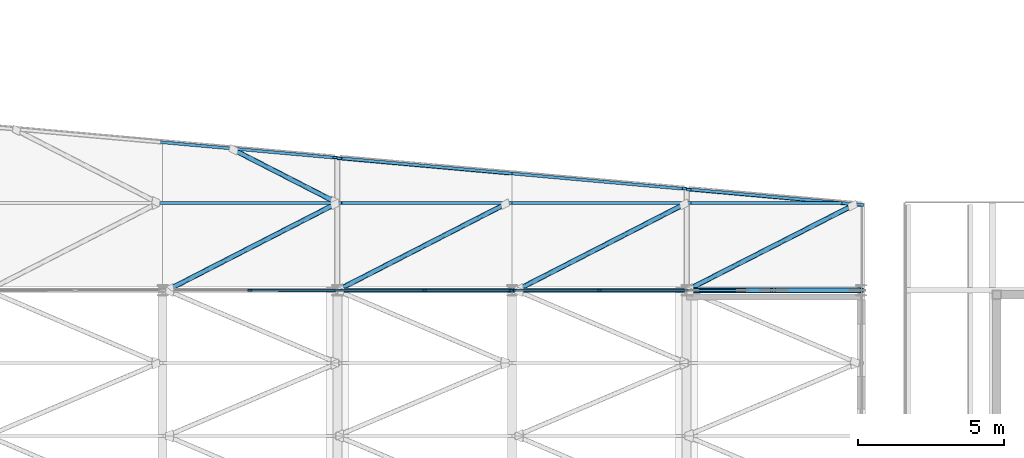
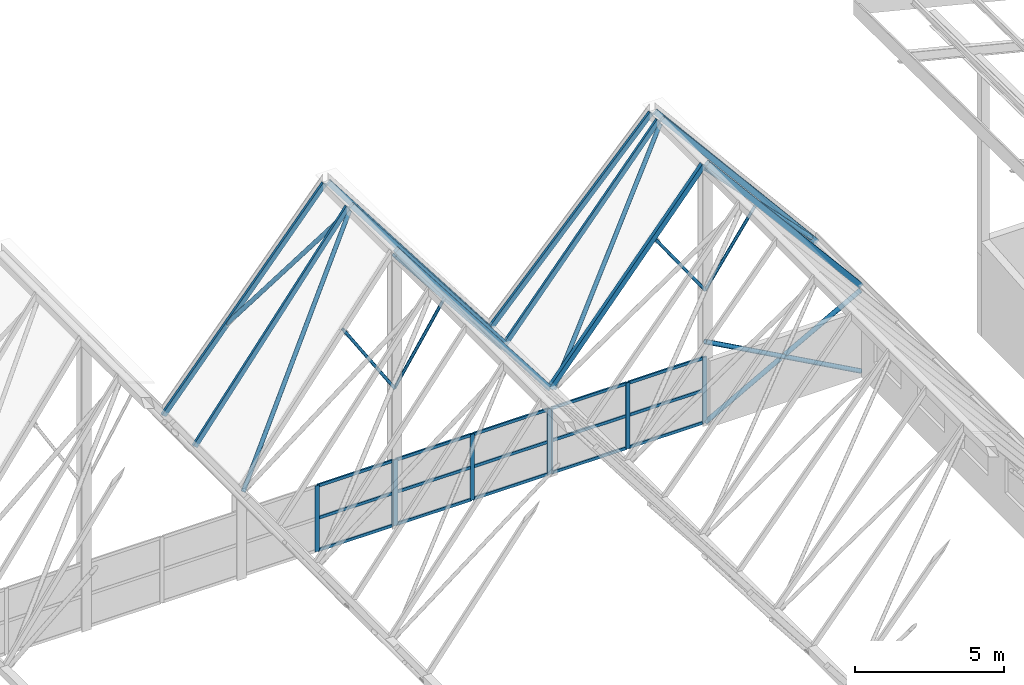
# One storey, part 37 of 483: 39 members, 7 beams, 3 elements without a shape of their own.
"""IFC4 building model written with IfcOpenShell, lengths in metres."""

import ifcopenshell
import ifcopenshell.guid

model = None  # the IFC model being written
_history = None  # IfcOwnerHistory: only IFC2X3 demands one
_inside = {}  # id of a spatial element -> (the spatial element, [elements in it])
_under = {}  # id of a project, library or spatial element -> (it, [spatial elements below it])
_declared = {}  # id of a project -> (the project, [libraries it declares])
_typed = {}  # id of a type object -> (the type object, [elements of that type])
_made_of = {}  # id of a material, layer set ... -> (it, [elements and type objects made of it])


def new_model(schema):
    """Start an empty IFC model of exactly this schema.

    Asked for "IFC4X3", IfcOpenShell would pick the latest addendum, in which some entities
    have other attributes; the version numbers below select the first issue.
    IFC2X3 requires an IfcOwnerHistory on every rooted entity: one is made here for all.
    """
    global model, _history
    if schema == "IFC4X3":
        model = ifcopenshell.file(schema_version=(4, 3, 0, 0))
    else:
        model = ifcopenshell.file(schema=schema)
    _inside.clear()
    _under.clear()
    _declared.clear()
    _typed.clear()
    _made_of.clear()
    _history = None
    if model.schema == "IFC2X3":
        org = make("IfcOrganization", Name="unknown")
        user = make(
            "IfcPersonAndOrganization",
            ThePerson=make("IfcPerson", FamilyName="unknown"),
            TheOrganization=org,
        )
        app = make(
            "IfcApplication",
            ApplicationDeveloper=org,
            Version="unknown",
            ApplicationFullName="unknown",
            ApplicationIdentifier="unknown",
        )
        _history = make(
            "IfcOwnerHistory",
            OwningUser=user,
            OwningApplication=app,
            ChangeAction="ADDED",
            CreationDate=0,
        )
    return model


def make(cls, **values):
    """One entity of the class cls with the attributes given. An attribute that is None is left unset."""
    return model.create_entity(
        cls, **{name: value for name, value in values.items() if value is not None}
    )


def rooted(cls, **values):
    """An entity with a GlobalId (a new one), such as an element, a storey or a relation."""
    return make(cls, GlobalId=ifcopenshell.guid.new(), OwnerHistory=_history, **values)


def si_unit(unit_type, name, prefix=None):
    """IfcSIUnit, for example si_unit("LENGTHUNIT", "METRE", prefix="MILLI")."""
    return make("IfcSIUnit", UnitType=unit_type, Prefix=prefix, Name=name)


def assignment(units):
    """IfcUnitAssignment: the units of a project."""
    return None if units is None else make("IfcUnitAssignment", Units=units)


def point(xyz):
    """IfcCartesianPoint."""
    return None if xyz is None else make("IfcCartesianPoint", Coordinates=xyz)


def direction(xyz):
    """IfcDirection."""
    return None if xyz is None else make("IfcDirection", DirectionRatios=xyz)


def frame(location, z_axis=None, x_axis=None):
    """IfcAxis2Placement3D, a coordinate frame: its origin and axes. An axis left out is left unset."""
    return make(
        "IfcAxis2Placement3D",
        Location=point(location),
        Axis=direction(z_axis),
        RefDirection=direction(x_axis),
    )


def frame_2d(location, x_axis=None):
    """IfcAxis2Placement2D, a coordinate frame in the plane: its origin and x axis."""
    return make(
        "IfcAxis2Placement2D", Location=point(location), RefDirection=direction(x_axis)
    )


def origin():
    """The frame at (0, 0, 0) with its axes left unset."""
    return frame((0.0, 0.0, 0.0))


def origin_2d():
    """The frame at (0, 0) in the plane with its x axis left unset."""
    return frame_2d((0.0, 0.0))


def place(relative_to, where):
    """IfcLocalPlacement: puts the frame where relative to a parent placement (None: the world)."""
    return make(
        "IfcLocalPlacement", PlacementRelTo=relative_to, RelativePlacement=where
    )


def context(
    kind, dimensions, precision=None, world=None, true_north=None, identifier=None
):
    """IfcGeometricRepresentationContext, for example the 3D "Model" context."""
    return make(
        "IfcGeometricRepresentationContext",
        ContextIdentifier=identifier,
        ContextType=kind,
        CoordinateSpaceDimension=dimensions,
        Precision=precision,
        WorldCoordinateSystem=world,
        TrueNorth=true_north,
    )


def subcontext(parent, identifier, kind, view, scale=None):
    """IfcGeometricRepresentationSubContext, for example "Body" below "Model"."""
    return make(
        "IfcGeometricRepresentationSubContext",
        ContextIdentifier=identifier,
        ContextType=kind,
        ParentContext=parent,
        TargetScale=scale,
        TargetView=view,
    )


def project(units=None, contexts=None):
    """IfcProject with its units and contexts."""
    return rooted(
        "IfcProject",
        Name="project",
        RepresentationContexts=contexts,
        UnitsInContext=assignment(units),
    )


def spatial(cls, under=None, at=None, **own):
    """A site, building, storey or space (cls), placed at a placement, below another one or the project."""
    s = rooted(cls, ObjectPlacement=at, **own)
    if under is not None:
        _under.setdefault(under.id(), (under, []))[1].append(s)
    return s


def profile(cls, at=None, kind="AREA", **sizes):
    """A parametric profile (cls). Its sizes go by their IFC names, for example OverallWidth=200.0."""
    return make(cls, ProfileType=kind, Position=at, **sizes)


def rectangle(**sizes):
    """IfcRectangleProfileDef."""
    return profile("IfcRectangleProfileDef", **sizes)


def hollow_rectangle(**sizes):
    """IfcRectangleHollowProfileDef."""
    return profile("IfcRectangleHollowProfileDef", **sizes)


def hollow_circle(**sizes):
    """IfcCircleHollowProfileDef."""
    return profile("IfcCircleHollowProfileDef", **sizes)


def extrude(swept, where, along, depth):
    """IfcExtrudedAreaSolid: the profile swept, set in the frame where, extruded along a direction by depth."""
    return make(
        "IfcExtrudedAreaSolid",
        SweptArea=swept,
        Position=where,
        ExtrudedDirection=direction(along),
        Depth=depth,
    )


def shape(context_of_items, identifier, shape_type, items):
    """IfcShapeRepresentation: the items that make up one representation, for example the "Body"."""
    return make(
        "IfcShapeRepresentation",
        ContextOfItems=context_of_items,
        RepresentationIdentifier=identifier,
        RepresentationType=shape_type,
        Items=items,
    )


def material(Name=None, Category=None):
    """IfcMaterial."""
    return make("IfcMaterial", Name=Name, Category=Category)


def material_profile(
    of_material, cross_section, Name=None, Category=None, Priority=None
):
    """IfcMaterialProfile: a cross section and its material."""
    return make(
        "IfcMaterialProfile",
        Name=Name,
        Material=of_material,
        Profile=cross_section,
        Priority=Priority,
        Category=Category,
    )


def profile_set(profiles, Name=None, composite=None):
    """IfcMaterialProfileSet."""
    return make(
        "IfcMaterialProfileSet",
        Name=Name,
        MaterialProfiles=profiles,
        CompositeProfile=composite,
    )


def made_of(thing, what):
    """Note that an element or type object is made of a material, layer set ...; save() writes the relation."""
    if what is not None:
        _made_of.setdefault(what.id(), (what, []))[1].append(thing)
    return thing


def type_object(cls, material=None, **own):
    """A type object (cls), such as IfcWallType, which elements share."""
    return made_of(rooted(cls, **own), material)


def element(
    cls,
    number,
    at=None,
    inside=None,
    cuts=None,
    type_object=None,
    material=None,
    context=None,
    identifier="Body",
    shape_type=None,
    held_by="IfcProductDefinitionShape",
    body=None,
    shapes=None,
    **own,
):
    """One element of the class cls, such as IfcWall. Its Tag is "e" and its number.

    at: its placement. inside: the storey or other place that contains it. cuts: it is an
    opening in that element (IfcRelVoidsElement). A single representation is given by context,
    identifier, shape_type and body (its items); several are given by shapes. held_by: the class
    of the entity that holds the representations. save() writes the other relations.
    """
    e = rooted(cls, Tag="e%d" % number, ObjectPlacement=at, **own)
    if body is not None:
        shapes = [shape(context, identifier, shape_type, body)]
    if shapes is not None:
        e.Representation = make(held_by, Representations=shapes)
    if inside is not None:
        _inside.setdefault(inside.id(), (inside, []))[1].append(e)
    if cuts is not None:
        rooted(
            "IfcRelVoidsElement", RelatingBuildingElement=cuts, RelatedOpeningElement=e
        )
    if type_object is not None:
        _typed.setdefault(type_object.id(), (type_object, []))[1].append(e)
    return made_of(e, material)


def aggregate(whole, parts):
    """IfcRelAggregates: a whole, such as a stair, and the parts it consists of."""
    return rooted("IfcRelAggregates", RelatingObject=whole, RelatedObjects=parts)


def save(model, path):
    """Write the relations noted so far, then the file.

    IfcRelAggregates (storeys below a building ...), IfcRelContainedInSpatialStructure (elements
    in a storey), IfcRelDefinesByType, IfcRelAssociatesMaterial and IfcRelDeclares: one each for
    every whole, place, type object, material and project.
    """
    for whole, parts in _under.values():
        aggregate(whole, parts)
    for where, things in _inside.values():
        rooted(
            "IfcRelContainedInSpatialStructure",
            RelatedElements=things,
            RelatingStructure=where,
        )
    for kind, things in _typed.values():
        rooted("IfcRelDefinesByType", RelatedObjects=things, RelatingType=kind)
    for what, things in _made_of.values():
        rooted("IfcRelAssociatesMaterial", RelatedObjects=things, RelatingMaterial=what)
    for by, libraries in _declared.values():
        rooted("IfcRelDeclares", RelatingContext=by, RelatedDefinitions=libraries)
    model.write(path)


model = new_model("IFC4")

# Units and contexts
model_context = context("Model", 3, precision=1e-05, world=origin(), true_north=direction((0.0, 1.0)))
body_context = subcontext(model_context, "Body", "Model", "MODEL_VIEW")
ifc_project = project(units=[si_unit("LENGTHUNIT", "METRE"), si_unit("AREAUNIT", "SQUARE_METRE"), si_unit("VOLUMEUNIT", "CUBIC_METRE"), si_unit("PLANEANGLEUNIT", "RADIAN"), si_unit("MASSUNIT", "GRAM", prefix="KILO")], contexts=[model_context])

# Site, building, storey
site_placement = place(None, origin())
site = spatial("IfcSite", under=ifc_project, at=site_placement, CompositionType="ELEMENT")
building_placement = place(site_placement, origin())
building = spatial("IfcBuilding", under=site, at=building_placement, Name="Parallax Yard Mobility Hub", CompositionType="ELEMENT")
storey_placement = place(building_placement, frame((0.0, 0.0, 13.199951171875)))
storey = spatial("IfcBuildingStorey", under=building, at=storey_placement, Name="L04", CompositionType="ELEMENT", Elevation=13.199951171875)

# Members
ifc_material_1 = material(Name="Steel ASTM A500 Gr C", Category="steel")
ifc_material_profile_1 = material_profile(ifc_material_1, hollow_circle(Radius=0.05712890625, WallThickness=0.006103515625, at=origin_2d()), Name="HSS114.3x6.0")
ifc_profile_set_1 = profile_set([ifc_material_profile_1], Name="Steel ASTM A500 Gr C")
member_type_1 = type_object("IfcMemberType", Name="Knee brace HSS114.3x6.0", PredefinedType="BRACE", material=ifc_profile_set_1)
for number, where, z_axis, x_axis, name in (
    (1, (75.0, 52.5, 5.60009765625), (-0.54067085938, 0.0, 0.841234225301), (0.0, -1.0, 0.0), "Gable knee brace F12 north west"),
    (2, (75.0, 52.5, 5.60009765625), (0.54067085938, 0.0, 0.841234225301), (0.0, 1.0, 0.0), "Gable knee brace F12 north east"),
):
    element("IfcMember", number, at=place(storey_placement, frame(where, z_axis=z_axis, x_axis=x_axis)), inside=storey, type_object=member_type_1, Name=name, PredefinedType="BRACE", context=body_context, shape_type="SweptSolid", body=[
        extrude(hollow_circle(Radius=0.05712890625, WallThickness=0.006103515625, at=origin_2d()), origin(), (0.0, 0.0, 1.0), 3.69921875),
    ])
for number, where, z_axis, x_axis, name in (
    (3, (87.0, 52.5, 5.400146484375), (-0.572308351996, 0.0, 0.820038505337), (0.0, -1.0, 0.0), "Gable knee brace F14 north west"),
    (4, (87.0, 52.5, 5.400146484375), (0.572308351996, 0.0, 0.820038505337), (0.0, 1.0, 0.0), "Gable knee brace F14 north east"),
):
    element("IfcMember", number, at=place(storey_placement, frame(where, z_axis=z_axis, x_axis=x_axis)), inside=storey, type_object=member_type_1, Name=name, PredefinedType="BRACE", context=body_context, shape_type="SweptSolid", body=[
        extrude(hollow_circle(Radius=0.05712890625, WallThickness=0.006103515625, at=origin_2d()), origin(), (0.0, 0.0, 1.0), 3.49462890625),
    ])

# Curtain wall, members
ifc_material_2 = material(Name="Thermally broken aluminium curtain wall system", Category="aluminium")
curtain_wall_type = type_object("IfcCurtainWallType", Name="Curtain wall run 60 x 160 frame", PredefinedType="NOTDEFINED", material=ifc_material_2)
curtain_wall_1_placement = place(storey_placement, origin())
curtain_wall_1 = element("IfcCurtainWall", 5, at=curtain_wall_1_placement, inside=storey, type_object=curtain_wall_type, Name="Glazed gable end Bus and taxi deck north gable bay 11 level L04", PredefinedType="NOTDEFINED")
ifc_material_3 = material(Name="Extruded aluminium", Category="aluminium")
ifc_material_profile_2 = material_profile(ifc_material_3, rectangle(XDim=0.06005859375, YDim=0.159912109375, at=origin_2d()), Name="Mullion 60 x 160")
ifc_profile_set_2 = profile_set([ifc_material_profile_2], Name="Extruded aluminium")
member_type_2 = type_object("IfcMemberType", Name="Mullion 60 x 160", PredefinedType="MULLION", material=ifc_profile_set_2)
member_1_placement = place(storey_placement, frame((72.0, 52.5, 0.0), z_axis=(0.0, 0.0, 1.0), x_axis=(0.0, 1.0, 0.0)))
member_1 = element("IfcMember", 6, at=member_1_placement, type_object=member_type_2, Name="CW1 mullion 2", PredefinedType="MULLION", context=body_context, shape_type="SweptSolid", body=[
    extrude(rectangle(XDim=0.06005859375, YDim=0.159912109375, at=origin_2d()), origin(), (0.0, 0.0, 1.0), 2.68994140625),
])
member_2_placement = place(storey_placement, frame((74.969970703125, 52.5, 0.0), z_axis=(0.0, 0.0, 1.0), x_axis=(0.0, 1.0, 0.0)))
member_2 = element("IfcMember", 7, at=member_2_placement, type_object=member_type_2, Name="CW1 mullion 3", PredefinedType="MULLION", context=body_context, shape_type="SweptSolid", body=[
    extrude(rectangle(XDim=0.06005859375, YDim=0.159912109375, at=origin_2d()), origin(), (0.0, 0.0, 1.0), 2.68994140625),
])

curtain_wall_2_placement = place(storey_placement, origin())
curtain_wall_2 = element("IfcCurtainWall", 8, at=curtain_wall_2_placement, inside=storey, type_object=curtain_wall_type, Name="Glazed gable end Bus and taxi deck north gable bay 12 level L04", PredefinedType="NOTDEFINED")
member_3_placement = place(storey_placement, frame((75.030029296875, 52.5, 0.0), z_axis=(0.0, 0.0, 1.0), x_axis=(0.0, 1.0, 0.0)))
member_3 = element("IfcMember", 9, at=member_3_placement, type_object=member_type_2, Name="CW1 mullion 1", PredefinedType="MULLION", context=body_context, shape_type="SweptSolid", body=[
    extrude(rectangle(XDim=0.06005859375, YDim=0.159912109375, at=origin_2d()), origin(), (0.0, 0.0, 1.0), 2.68994140625),
])
member_4_placement = place(storey_placement, frame((78.0, 52.5, 0.0), z_axis=(0.0, 0.0, 1.0), x_axis=(0.0, 1.0, 0.0)))
member_4 = element("IfcMember", 10, at=member_4_placement, type_object=member_type_2, Name="CW1 mullion 2", PredefinedType="MULLION", context=body_context, shape_type="SweptSolid", body=[
    extrude(rectangle(XDim=0.06005859375, YDim=0.159912109375, at=origin_2d()), origin(), (0.0, 0.0, 1.0), 2.68994140625),
])
member_5_placement = place(storey_placement, frame((80.969970703125, 52.5, 0.0), z_axis=(0.0, 0.0, 1.0), x_axis=(0.0, 1.0, 0.0)))
member_5 = element("IfcMember", 11, at=member_5_placement, type_object=member_type_2, Name="CW1 mullion 3", PredefinedType="MULLION", context=body_context, shape_type="SweptSolid", body=[
    extrude(rectangle(XDim=0.06005859375, YDim=0.159912109375, at=origin_2d()), origin(), (0.0, 0.0, 1.0), 2.68994140625),
])

curtain_wall_3_placement = place(storey_placement, origin())
curtain_wall_3 = element("IfcCurtainWall", 12, at=curtain_wall_3_placement, inside=storey, type_object=curtain_wall_type, Name="Glazed gable end Bus and taxi deck north gable bay 13 level L04", PredefinedType="NOTDEFINED")
member_6_placement = place(storey_placement, frame((81.030029296875, 52.5, 0.0), z_axis=(0.0, 0.0, 1.0), x_axis=(0.0, 1.0, 0.0)))
member_6 = element("IfcMember", 13, at=member_6_placement, type_object=member_type_2, Name="CW1 mullion 1", PredefinedType="MULLION", context=body_context, shape_type="SweptSolid", body=[
    extrude(rectangle(XDim=0.06005859375, YDim=0.159912109375, at=origin_2d()), origin(), (0.0, 0.0, 1.0), 2.68994140625),
])
member_7_placement = place(storey_placement, frame((84.0, 52.5, 0.0), z_axis=(0.0, 0.0, 1.0), x_axis=(0.0, 1.0, 0.0)))
member_7 = element("IfcMember", 14, at=member_7_placement, type_object=member_type_2, Name="CW1 mullion 2", PredefinedType="MULLION", context=body_context, shape_type="SweptSolid", body=[
    extrude(rectangle(XDim=0.06005859375, YDim=0.159912109375, at=origin_2d()), origin(), (0.0, 0.0, 1.0), 2.68994140625),
])
member_8_placement = place(storey_placement, frame((86.969970703125, 52.5, 0.0), z_axis=(0.0, 0.0, 1.0), x_axis=(0.0, 1.0, 0.0)))
member_8 = element("IfcMember", 15, at=member_8_placement, type_object=member_type_2, Name="CW1 mullion 3", PredefinedType="MULLION", context=body_context, shape_type="SweptSolid", body=[
    extrude(rectangle(XDim=0.06005859375, YDim=0.159912109375, at=origin_2d()), origin(), (0.0, 0.0, 1.0), 2.68994140625),
])

# Members
ifc_material_profile_3 = material_profile(ifc_material_1, hollow_circle(Radius=0.084228515625, WallThickness=0.007080078125, at=origin_2d()), Name="HSS168.3x7.1")
ifc_profile_set_3 = profile_set([ifc_material_profile_3], Name="Steel ASTM A500 Gr C")
member_type_3 = type_object("IfcMemberType", Name="Plate diagonal HSS168.3x7.1", PredefinedType="BRACE", material=ifc_profile_set_3)
for number, where, z_axis, x_axis, name in (
    (16, (69.15234375, 52.5, 3.409423828125), (0.580664226216, 0.297895875574, 0.757685359308), (-0.456461439155, 0.889743195852, 0.0), "Plate diagonal plate F11-F12 bay 19"),
    (17, (75.0, 52.5, 11.039794921875), (0.580664226216, 0.297895875574, -0.757685359308), (-0.456461439155, 0.889743195852, 0.0), "Plate diagonal plate F12-F13 bay 19"),
):
    element("IfcMember", number, at=place(storey_placement, frame(where, z_axis=z_axis, x_axis=x_axis)), inside=storey, type_object=member_type_3, Name=name, PredefinedType="BRACE", context=body_context, shape_type="SweptSolid", body=[
        extrude(hollow_circle(Radius=0.084228515625, WallThickness=0.007080078125, at=origin_2d()), origin(), (0.0, 0.0, 1.0), 10.070556640625),
    ])
member_9_placement = place(storey_placement, frame((81.15234375, 52.5, 3.407470703125), z_axis=(0.610031913573, 0.312962264278, 0.727953079231), x_axis=(-0.456461439155, 0.889743195852, 0.0)))
element("IfcMember", 18, at=member_9_placement, inside=storey, type_object=member_type_3, Name="Plate diagonal plate F13-F14 bay 19", PredefinedType="BRACE", context=body_context, shape_type="SweptSolid", body=[
    extrude(hollow_circle(Radius=0.084228515625, WallThickness=0.007080078125, at=origin_2d()), origin(), (0.0, 0.0, 1.0), 9.5859375),
])
member_10_placement = place(storey_placement, frame((87.0, 52.5, 10.385498046875), z_axis=(0.622928430701, 0.3181860868, -0.714645215748), x_axis=(-0.454884847371, 0.89055026564, 0.0)))
element("IfcMember", 19, at=member_10_placement, inside=storey, type_object=member_type_3, Name="Plate diagonal plate F14-F15 bay 19", PredefinedType="BRACE", context=body_context, shape_type="SweptSolid", body=[
    extrude(hollow_circle(Radius=0.084228515625, WallThickness=0.007080078125, at=origin_2d()), origin(), (0.0, 0.0, 1.0), 9.298095703125),
])
member_11_placement = place(storey_placement, frame((75.0, 55.5, 11.039794921875), z_axis=(-0.600800505101, 0.308214073898, -0.737592596032), x_axis=(-0.456447092322, -0.889750556005, 0.0)))
element("IfcMember", 20, at=member_11_placement, inside=storey, type_object=member_type_3, Name="Plate diagonal plate F11-F12 bay 20", PredefinedType="BRACE", context=body_context, shape_type="SweptSolid", body=[
    extrude(hollow_circle(Radius=0.084228515625, WallThickness=0.007080078125, at=origin_2d()), origin(), (0.0, 0.0, 1.0), 6.0771484375),
])

# Beams
ifc_material_profile_4 = material_profile(ifc_material_1, hollow_rectangle(XDim=0.1015625, YDim=0.203125, WallThickness=0.00634765625, at=origin_2d()), Name="HSS203x102x6.4")
ifc_profile_set_4 = profile_set([ifc_material_profile_4], Name="Steel ASTM A500 Gr C")
beam_type_1 = type_object("IfcBeamType", Name="Roof edge beam HSS203x102x6.4", PredefinedType="SPANDREL", material=ifc_profile_set_4)
for number, where, z_axis, x_axis, name in (
    (21, (69.010498046875, 57.589111328125, 3.50634765625), (0.607392180585, -0.054226522496, 0.792549192935), (0.032980120967, 0.998528659687, 0.043044481707), "Edge beam plate F11-F12 north prow edge"),
    (22, (75.07177734375, 57.033447265625, 11.22802734375), (0.607392180585, -0.054226522496, -0.792549192935), (0.032980120967, 0.998528659687, -0.043044481707), "Edge beam plate F12-F13 north prow edge"),
):
    element("IfcBeam", number, at=place(storey_placement, frame(where, z_axis=z_axis, x_axis=x_axis)), inside=storey, type_object=beam_type_1, Name=name, PredefinedType="SPANDREL", context=body_context, shape_type="SweptSolid", body=[
        extrude(hollow_rectangle(XDim=0.1015625, YDim=0.203125, WallThickness=0.00634765625, at=origin_2d()), origin(), (0.0, 0.0, 1.0), 9.742919921875),
    ])
for number, where, z_axis, x_axis, name in (
    (23, (81.0078125, 56.517578125, 3.501953125), (0.64125016459, -0.057249282403, 0.765193273675), (0.036765639105, 0.998359914864, 0.043883575215), "Edge beam plate F13-F14 north prow edge"),
    (24, (87.074462890625, 55.962158203125, 10.5634765625), (0.641249193164, -0.057275650943, -0.765192114488), (0.036806580096, 0.998358402201, -0.043883669127), "Edge beam plate F14-F15 north prow edge"),
):
    element("IfcBeam", number, at=place(storey_placement, frame(where, z_axis=z_axis, x_axis=x_axis)), inside=storey, type_object=beam_type_1, Name=name, PredefinedType="SPANDREL", context=body_context, shape_type="SweptSolid", body=[
        extrude(hollow_rectangle(XDim=0.1015625, YDim=0.203125, WallThickness=0.00634765625, at=origin_2d()), origin(), (0.0, 0.0, 1.0), 9.228515625),
    ])
ifc_material_profile_5 = material_profile(ifc_material_1, hollow_rectangle(XDim=0.15234375, YDim=0.203125, WallThickness=0.009521484375, at=origin_2d()), Name="HSS203x152x9.5")
ifc_profile_set_5 = profile_set([ifc_material_profile_5], Name="Steel ASTM A500 Gr C")
beam_type_2 = type_object("IfcBeamType", Name="Roof edge beam HSS203x152x9.5", PredefinedType="SPANDREL", material=ifc_profile_set_5)
beam_placement = place(storey_placement, frame((75.07177734375, 52.5, 11.22802734375), z_axis=(0.608287178019, 0.0, -0.793717020768), x_axis=(0.0, 1.0, 0.0)))
element("IfcBeam", 25, at=beam_placement, inside=storey, type_object=beam_type_2, Name="Edge beam plate F12-F13 north gable", PredefinedType="SPANDREL", context=body_context, shape_type="SweptSolid", body=[
    extrude(hollow_rectangle(XDim=0.15234375, YDim=0.203125, WallThickness=0.009521484375, at=origin_2d()), origin(), (0.0, 0.0, 1.0), 9.728515625),
])
for number, where, z_axis, x_axis, name in (
    (26, (81.0078125, 52.5, 3.501953125), (0.642303597154, 0.0, 0.766450317426), (0.0, 1.0, 0.0), "Edge beam plate F13-F14 north gable"),
    (27, (87.074462890625, 52.5, 10.5634765625), (0.642303597154, 0.0, -0.766450317426), (0.0, 1.0, 0.0), "Edge beam plate F14-F15 north gable"),
):
    element("IfcBeam", number, at=place(storey_placement, frame(where, z_axis=z_axis, x_axis=x_axis)), inside=storey, type_object=beam_type_2, Name=name, PredefinedType="SPANDREL", context=body_context, shape_type="SweptSolid", body=[
        extrude(hollow_rectangle(XDim=0.15234375, YDim=0.203125, WallThickness=0.009521484375, at=origin_2d()), origin(), (0.0, 0.0, 1.0), 9.21337890625),
    ])

# Members
ifc_material_profile_6 = material_profile(ifc_material_1, hollow_rectangle(XDim=0.1015625, YDim=0.203125, WallThickness=0.00634765625, at=origin_2d()), Name="HSS203x102x6.4")
ifc_profile_set_6 = profile_set([ifc_material_profile_6], Name="Steel ASTM A500 Gr C")
member_type_4 = type_object("IfcMemberType", Name="Roof rafter HSS203x102x6.4", PredefinedType="RAFTER", material=ifc_profile_set_6)
for number, where, z_axis, x_axis, name in (
    (28, (69.010498046875, 55.5, 3.50634765625), (0.608287178019, 0.0, 0.793717020768), (0.0, 1.0, 0.0), "Roof rafter plate F11-F12 at y 55.5"),
    (29, (75.07177734375, 55.5, 11.22802734375), (0.608287178019, 0.0, -0.793717020768), (0.0, 1.0, 0.0), "Roof rafter plate F12-F13 at y 55.5"),
):
    element("IfcMember", number, at=place(storey_placement, frame(where, z_axis=z_axis, x_axis=x_axis)), inside=storey, type_object=member_type_4, Name=name, PredefinedType="RAFTER", context=body_context, shape_type="SweptSolid", body=[
        extrude(hollow_rectangle(XDim=0.1015625, YDim=0.203125, WallThickness=0.00634765625, at=origin_2d()), origin(), (0.0, 0.0, 1.0), 9.728515625),
    ])
member_12_placement = place(storey_placement, frame((81.0078125, 55.5, 3.501953125), z_axis=(0.642303597154, 0.0, 0.766450317426), x_axis=(0.0, 1.0, 0.0)))
element("IfcMember", 30, at=member_12_placement, inside=storey, type_object=member_type_4, Name="Roof rafter plate F13-F14 at y 55.5", PredefinedType="RAFTER", context=body_context, shape_type="SweptSolid", body=[
    extrude(hollow_rectangle(XDim=0.1015625, YDim=0.203125, WallThickness=0.00634765625, at=origin_2d()), origin(), (0.0, 0.0, 1.0), 9.21337890625),
])
member_13_placement = place(storey_placement, frame((87.074462890625, 55.5, 10.5634765625), z_axis=(0.64228000083, 0.0, -0.766470091089), x_axis=(0.0, 1.0, 0.0)))
element("IfcMember", 31, at=member_13_placement, inside=storey, type_object=member_type_4, Name="Roof rafter plate F14-F15 at y 55.5", PredefinedType="RAFTER", context=body_context, shape_type="SweptSolid", body=[
    extrude(hollow_rectangle(XDim=0.1015625, YDim=0.203125, WallThickness=0.00634765625, at=origin_2d()), origin(), (0.0, 0.0, 1.0), 8.05810546875),
])

# Member
ifc_material_profile_7 = material_profile(ifc_material_3, rectangle(XDim=0.06005859375, YDim=0.1201171875, at=origin_2d()), Name="Transom 60 x 120")
ifc_profile_set_7 = profile_set([ifc_material_profile_7], Name="Extruded aluminium")
member_type_5 = type_object("IfcMemberType", Name="Transom 60 x 120", PredefinedType="USERDEFINED", material=ifc_profile_set_7)
member_14_placement = place(storey_placement, frame((72.030029296875, 52.5, 0.030029296875), z_axis=(1.0, 0.0, 0.0), x_axis=(0.0, 1.0, 0.0)))
member_14 = element("IfcMember", 32, at=member_14_placement, type_object=member_type_5, Name="CW1 transom 2.1", ObjectType="TRANSOM", PredefinedType="USERDEFINED", context=body_context, shape_type="SweptSolid", body=[
    extrude(rectangle(XDim=0.06005859375, YDim=0.1201171875, at=origin_2d()), origin(), (0.0, 0.0, 1.0), 2.909912109375),
])

member_15_placement = place(storey_placement, frame((72.030029296875, 52.5, 1.344970703125), z_axis=(1.0, 0.0, 0.0), x_axis=(0.0, 1.0, 0.0)))
member_15 = element("IfcMember", 33, at=member_15_placement, type_object=member_type_5, Name="CW1 transom 2.2", ObjectType="TRANSOM", PredefinedType="USERDEFINED", context=body_context, shape_type="SweptSolid", body=[
    extrude(rectangle(XDim=0.06005859375, YDim=0.1201171875, at=origin_2d()), origin(), (0.0, 0.0, 1.0), 2.909912109375),
])

member_16_placement = place(storey_placement, frame((72.030029296875, 52.5, 2.66015625), z_axis=(1.0, 0.0, 0.0), x_axis=(0.0, 1.0, 0.0)))
member_16 = element("IfcMember", 34, at=member_16_placement, type_object=member_type_5, Name="CW1 transom 2.3", ObjectType="TRANSOM", PredefinedType="USERDEFINED", context=body_context, shape_type="SweptSolid", body=[
    extrude(rectangle(XDim=0.06005859375, YDim=0.1201171875, at=origin_2d()), origin(), (0.0, 0.0, 1.0), 2.909912109375),
])

aggregate(curtain_wall_1, [member_1, member_2, member_14, member_15, member_16])

member_17_placement = place(storey_placement, frame((75.06005859375, 52.5, 0.030029296875), z_axis=(1.0, 0.0, 0.0), x_axis=(0.0, 1.0, 0.0)))
member_17 = element("IfcMember", 35, at=member_17_placement, type_object=member_type_5, Name="CW1 transom 1.1", ObjectType="TRANSOM", PredefinedType="USERDEFINED", context=body_context, shape_type="SweptSolid", body=[
    extrude(rectangle(XDim=0.06005859375, YDim=0.1201171875, at=origin_2d()), origin(), (0.0, 0.0, 1.0), 2.909912109375),
])

member_18_placement = place(storey_placement, frame((75.06005859375, 52.5, 1.344970703125), z_axis=(1.0, 0.0, 0.0), x_axis=(0.0, 1.0, 0.0)))
member_18 = element("IfcMember", 36, at=member_18_placement, type_object=member_type_5, Name="CW1 transom 1.2", ObjectType="TRANSOM", PredefinedType="USERDEFINED", context=body_context, shape_type="SweptSolid", body=[
    extrude(rectangle(XDim=0.06005859375, YDim=0.1201171875, at=origin_2d()), origin(), (0.0, 0.0, 1.0), 2.909912109375),
])

member_19_placement = place(storey_placement, frame((75.06005859375, 52.5, 2.66015625), z_axis=(1.0, 0.0, 0.0), x_axis=(0.0, 1.0, 0.0)))
member_19 = element("IfcMember", 37, at=member_19_placement, type_object=member_type_5, Name="CW1 transom 1.3", ObjectType="TRANSOM", PredefinedType="USERDEFINED", context=body_context, shape_type="SweptSolid", body=[
    extrude(rectangle(XDim=0.06005859375, YDim=0.1201171875, at=origin_2d()), origin(), (0.0, 0.0, 1.0), 2.909912109375),
])

member_20_placement = place(storey_placement, frame((78.030029296875, 52.5, 0.030029296875), z_axis=(1.0, 0.0, 0.0), x_axis=(0.0, 1.0, 0.0)))
member_20 = element("IfcMember", 38, at=member_20_placement, type_object=member_type_5, Name="CW1 transom 2.1", ObjectType="TRANSOM", PredefinedType="USERDEFINED", context=body_context, shape_type="SweptSolid", body=[
    extrude(rectangle(XDim=0.06005859375, YDim=0.1201171875, at=origin_2d()), origin(), (0.0, 0.0, 1.0), 2.909912109375),
])

member_21_placement = place(storey_placement, frame((78.030029296875, 52.5, 1.344970703125), z_axis=(1.0, 0.0, 0.0), x_axis=(0.0, 1.0, 0.0)))
member_21 = element("IfcMember", 39, at=member_21_placement, type_object=member_type_5, Name="CW1 transom 2.2", ObjectType="TRANSOM", PredefinedType="USERDEFINED", context=body_context, shape_type="SweptSolid", body=[
    extrude(rectangle(XDim=0.06005859375, YDim=0.1201171875, at=origin_2d()), origin(), (0.0, 0.0, 1.0), 2.909912109375),
])

member_22_placement = place(storey_placement, frame((78.030029296875, 52.5, 2.66015625), z_axis=(1.0, 0.0, 0.0), x_axis=(0.0, 1.0, 0.0)))
member_22 = element("IfcMember", 40, at=member_22_placement, type_object=member_type_5, Name="CW1 transom 2.3", ObjectType="TRANSOM", PredefinedType="USERDEFINED", context=body_context, shape_type="SweptSolid", body=[
    extrude(rectangle(XDim=0.06005859375, YDim=0.1201171875, at=origin_2d()), origin(), (0.0, 0.0, 1.0), 2.909912109375),
])

aggregate(curtain_wall_2, [member_3, member_4, member_5, member_17, member_18, member_19, member_20, member_21, member_22])

member_23_placement = place(storey_placement, frame((81.06005859375, 52.5, 0.030029296875), z_axis=(1.0, 0.0, 0.0), x_axis=(0.0, 1.0, 0.0)))
member_23 = element("IfcMember", 41, at=member_23_placement, type_object=member_type_5, Name="CW1 transom 1.1", ObjectType="TRANSOM", PredefinedType="USERDEFINED", context=body_context, shape_type="SweptSolid", body=[
    extrude(rectangle(XDim=0.06005859375, YDim=0.1201171875, at=origin_2d()), origin(), (0.0, 0.0, 1.0), 2.909912109375),
])

member_24_placement = place(storey_placement, frame((81.06005859375, 52.5, 1.344970703125), z_axis=(1.0, 0.0, 0.0), x_axis=(0.0, 1.0, 0.0)))
member_24 = element("IfcMember", 42, at=member_24_placement, type_object=member_type_5, Name="CW1 transom 1.2", ObjectType="TRANSOM", PredefinedType="USERDEFINED", context=body_context, shape_type="SweptSolid", body=[
    extrude(rectangle(XDim=0.06005859375, YDim=0.1201171875, at=origin_2d()), origin(), (0.0, 0.0, 1.0), 2.909912109375),
])

member_25_placement = place(storey_placement, frame((81.06005859375, 52.5, 2.66015625), z_axis=(1.0, 0.0, 0.0), x_axis=(0.0, 1.0, 0.0)))
member_25 = element("IfcMember", 43, at=member_25_placement, type_object=member_type_5, Name="CW1 transom 1.3", ObjectType="TRANSOM", PredefinedType="USERDEFINED", context=body_context, shape_type="SweptSolid", body=[
    extrude(rectangle(XDim=0.06005859375, YDim=0.1201171875, at=origin_2d()), origin(), (0.0, 0.0, 1.0), 2.909912109375),
])

member_26_placement = place(storey_placement, frame((84.030029296875, 52.5, 0.030029296875), z_axis=(1.0, 0.0, 0.0), x_axis=(0.0, 1.0, 0.0)))
member_26 = element("IfcMember", 44, at=member_26_placement, type_object=member_type_5, Name="CW1 transom 2.1", ObjectType="TRANSOM", PredefinedType="USERDEFINED", context=body_context, shape_type="SweptSolid", body=[
    extrude(rectangle(XDim=0.06005859375, YDim=0.1201171875, at=origin_2d()), origin(), (0.0, 0.0, 1.0), 2.909912109375),
])

member_27_placement = place(storey_placement, frame((84.030029296875, 52.5, 1.344970703125), z_axis=(1.0, 0.0, 0.0), x_axis=(0.0, 1.0, 0.0)))
member_27 = element("IfcMember", 45, at=member_27_placement, type_object=member_type_5, Name="CW1 transom 2.2", ObjectType="TRANSOM", PredefinedType="USERDEFINED", context=body_context, shape_type="SweptSolid", body=[
    extrude(rectangle(XDim=0.06005859375, YDim=0.1201171875, at=origin_2d()), origin(), (0.0, 0.0, 1.0), 2.909912109375),
])

member_28_placement = place(storey_placement, frame((84.030029296875, 52.5, 2.66015625), z_axis=(1.0, 0.0, 0.0), x_axis=(0.0, 1.0, 0.0)))
member_28 = element("IfcMember", 46, at=member_28_placement, type_object=member_type_5, Name="CW1 transom 2.3", ObjectType="TRANSOM", PredefinedType="USERDEFINED", context=body_context, shape_type="SweptSolid", body=[
    extrude(rectangle(XDim=0.06005859375, YDim=0.1201171875, at=origin_2d()), origin(), (0.0, 0.0, 1.0), 2.909912109375),
])

aggregate(curtain_wall_3, [member_6, member_7, member_8, member_23, member_24, member_25, member_26, member_27, member_28])

# Members
ifc_material_profile_8 = material_profile(ifc_material_1, hollow_circle(Radius=0.0888671875, WallThickness=0.0078125, at=origin_2d()), Name="HSS177.8x7.9")
ifc_profile_set_8 = profile_set([ifc_material_profile_8], Name="Steel ASTM A500 Gr C")
member_type_6 = type_object("IfcMemberType", Name="Wall brace HSS177.8x7.9", PredefinedType="BRACE", material=ifc_profile_set_8)
member_29_placement = place(storey_placement, frame((93.0, 52.5, 0.0), z_axis=(-0.876212897641, 0.0, 0.481924224341), x_axis=(0.0, -1.0, 0.0)))
element("IfcMember", 47, at=member_29_placement, inside=storey, type_object=member_type_6, Name="X brace east end bay north face level 4 2", PredefinedType="BRACE", context=body_context, shape_type="SweptSolid", body=[
    extrude(hollow_circle(Radius=0.0888671875, WallThickness=0.0078125, at=origin_2d()), origin(), (0.0, 0.0, 1.0), 6.84765625),
])
for number, where, z_axis, x_axis, name in (
    (48, (87.0, 52.5, 0.0), (0.876220551786, 0.0, 0.481910307659), (0.0, 1.0, 0.0), "X brace east end bay north face level 4 1 (half 1)"),
    (49, (90.081787109375, 52.5, 1.695068359375), (0.876220551786, 0.0, 0.481910307659), (0.0, 1.0, 0.0), "X brace east end bay north face level 4 1 (half 2)"),
):
    element("IfcMember", number, at=place(storey_placement, frame(where, z_axis=z_axis, x_axis=x_axis)), inside=storey, type_object=member_type_6, Name=name, PredefinedType="BRACE", context=body_context, shape_type="SweptSolid", body=[
        extrude(hollow_circle(Radius=0.0888671875, WallThickness=0.0078125, at=origin_2d()), origin(), (0.0, 0.0, 1.0), 3.33056640625),
    ])

save(model, "model.ifc")
